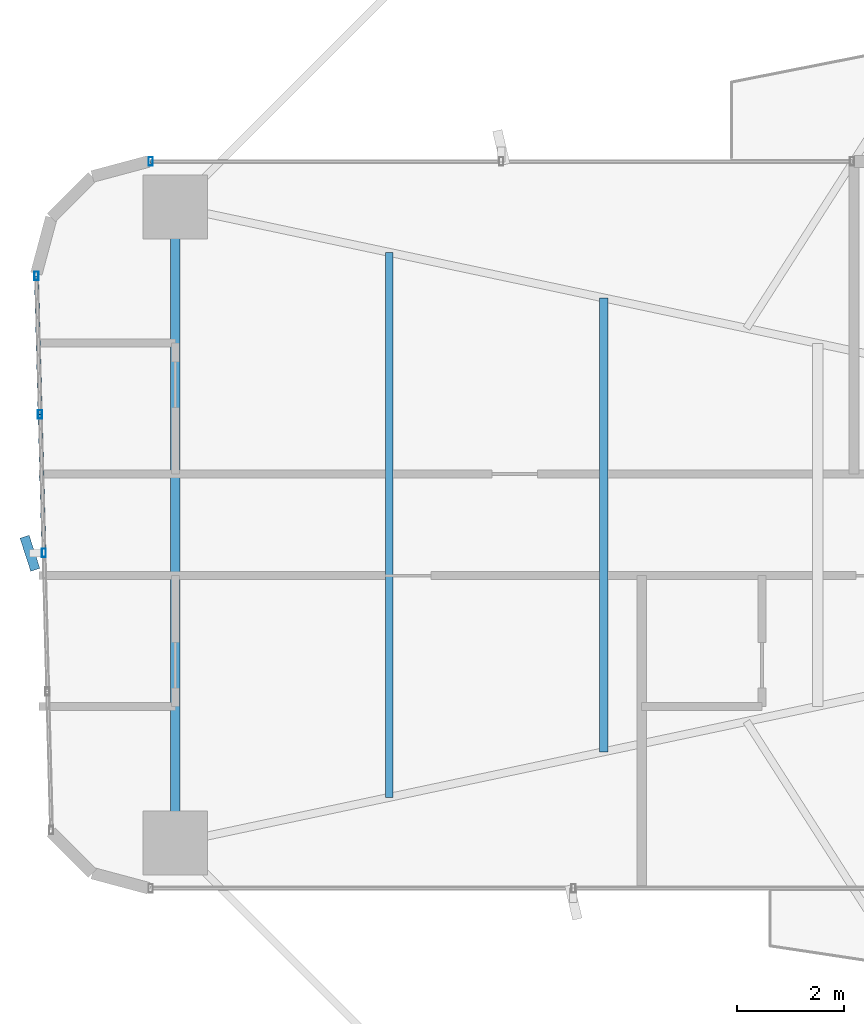
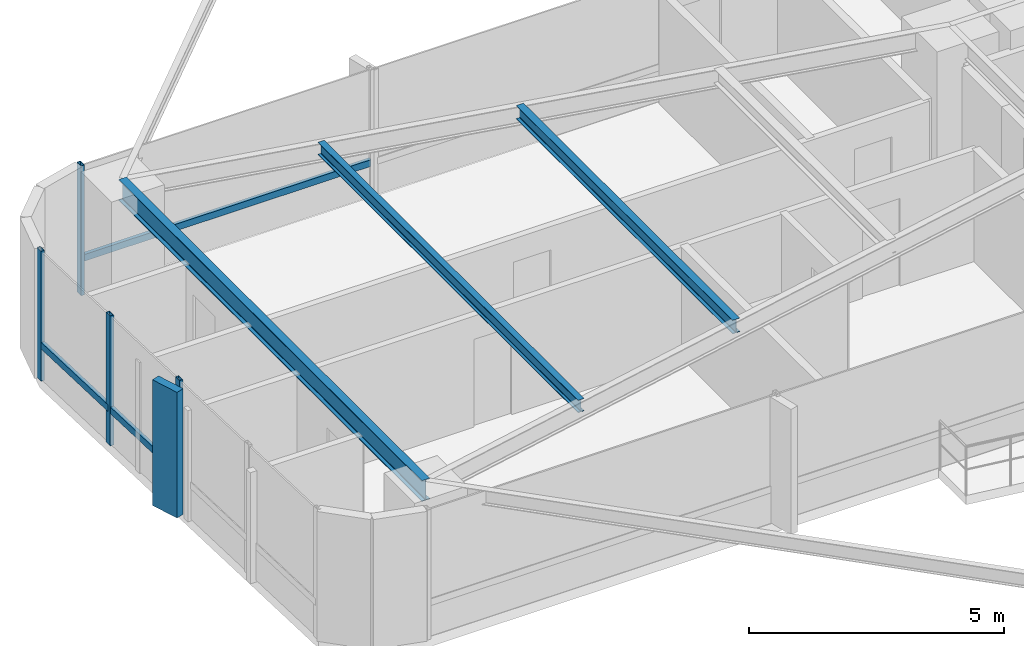
# One storey, part 8 of 26: 8 members, 3 beams, 2 elements without a shape of their own.
"""IFC4 building model written with IfcOpenShell, lengths in metres."""

from ifc_helpers import new_model, si_unit, direction, frame, origin, origin_2d, place, context, subcontext, project, spatial, rectangle, hollow_rectangle, i_section, extrude, source, transform, mapped, material, material_profile, profile_set, type_object, element, aggregate, save


model = new_model("IFC4")

# Units and contexts
model_context = context("Model", 3, precision=1e-05, world=origin(), true_north=direction((0.0, 1.0)))
body_context = subcontext(model_context, "Body", "Model", "MODEL_VIEW")
ifc_project = project(units=[si_unit("LENGTHUNIT", "METRE"), si_unit("AREAUNIT", "SQUARE_METRE"), si_unit("VOLUMEUNIT", "CUBIC_METRE"), si_unit("PLANEANGLEUNIT", "RADIAN"), si_unit("MASSUNIT", "GRAM", prefix="KILO")], contexts=[model_context])

# Site, building, storey
site_placement = place(None, origin())
site = spatial("IfcSite", under=ifc_project, at=site_placement, CompositionType="ELEMENT")
building_placement = place(site_placement, origin())
building = spatial("IfcBuilding", under=site, at=building_placement, Name="Sahyath Konkavel Grand Hotel", CompositionType="ELEMENT")
storey_placement = place(building_placement, frame((0.0, 0.0, 29.800048828125)))
storey = spatial("IfcBuildingStorey", under=building, at=storey_placement, Name="L07", CompositionType="ELEMENT", Elevation=29.800048828125)

# Beams
ifc_material_1 = material(Name="Steel E350", Category="steel")
ifc_material_profile_1 = material_profile(ifc_material_1, i_section(OverallWidth=0.179931640625, OverallDepth=0.5, WebThickness=0.01025390625, FlangeThickness=0.01708984375, FilletRadius=0.01708984375, at=origin_2d()), Name="ISMB 500")
ifc_profile_set_1 = profile_set([ifc_material_profile_1], Name="Steel E350")
beam_type_1 = type_object("IfcBeamType", Name="BM-ISMB500", PredefinedType="BEAM", material=ifc_profile_set_1)
shared_shape_1 = source(origin(), body_context, "Body", "SweptSolid", [
    extrude(i_section(OverallWidth=0.179931640625, OverallDepth=0.5, WebThickness=0.01025390625, FlangeThickness=0.01708984375, FilletRadius=0.01708984375, at=origin_2d()), origin(), (0.0, 0.0, 1.0), 11.89990234375),
])
beam_1_placement = place(storey_placement, frame((-22.199951171875, 5.949951171875, 2.85986328125), z_axis=(0.0, -1.0, 0.0), x_axis=(1.0, 0.0, 0.0)))
element("IfcBeam", 1, at=beam_1_placement, inside=storey, type_object=beam_type_1, Name="L07 Wing Tip Edge Beam W", PredefinedType="BEAM", context=body_context, shape_type="MappedRepresentation", body=[
    mapped(shared_shape_1, transform((0.0, 0.0, 0.0), scale=1.0)),
])
ifc_material_profile_2 = material_profile(ifc_material_1, i_section(OverallWidth=0.1650390625, OverallDepth=0.324951171875, WebThickness=0.007080078125, FlangeThickness=0.009765625, FilletRadius=0.014892578125, at=origin_2d()), Name="ISLB 325")
ifc_profile_set_2 = profile_set([ifc_material_profile_2], Name="Steel E350")
beam_type_2 = type_object("IfcBeamType", Name="BM-ISLB325", PredefinedType="BEAM", material=ifc_profile_set_2)
shared_shape_2 = source(origin(), body_context, "Body", "SweptSolid", [
    extrude(i_section(OverallWidth=0.1650390625, OverallDepth=0.324951171875, WebThickness=0.007080078125, FlangeThickness=0.009765625, FilletRadius=0.014892578125, at=origin_2d()), origin(), (0.0, 0.0, 1.0), 8.4921875),
])
beam_2_placement = place(storey_placement, frame((-14.18408203125, 4.24609375, 2.947509765625), z_axis=(0.0, -1.0, 0.0), x_axis=(1.0, 0.0, 0.0)))
element("IfcBeam", 2, at=beam_2_placement, inside=storey, type_object=beam_type_2, Name="L07 Secondary Floor Beam W-2", PredefinedType="BEAM", context=body_context, shape_type="MappedRepresentation", body=[
    mapped(shared_shape_2, transform((0.0, 0.0, 0.0), scale=1.0)),
])
ifc_material_profile_3 = material_profile(ifc_material_1, i_section(OverallWidth=0.139892578125, OverallDepth=0.300048828125, WebThickness=0.0078125, FlangeThickness=0.01318359375, FilletRadius=0.013916015625, at=origin_2d()), Name="ISMB 300")
ifc_profile_set_3 = profile_set([ifc_material_profile_3], Name="Steel E350")
beam_type_3 = type_object("IfcBeamType", Name="BM-ISMB300", PredefinedType="BEAM", material=ifc_profile_set_3)
shared_shape_3 = source(origin(), body_context, "Body", "SweptSolid", [
    extrude(i_section(OverallWidth=0.139892578125, OverallDepth=0.300048828125, WebThickness=0.0078125, FlangeThickness=0.01318359375, FilletRadius=0.013916015625, at=origin_2d()), origin(), (0.0, 0.0, 1.0), 10.19580078125),
])
beam_3_placement = place(storey_placement, frame((-18.19189453125, 5.097900390625, 2.9599609375), z_axis=(0.0, -1.0, 0.0), x_axis=(1.0, 0.0, 0.0)))
element("IfcBeam", 3, at=beam_3_placement, inside=storey, type_object=beam_type_3, Name="L07 Secondary Floor Beam W-3", PredefinedType="BEAM", context=body_context, shape_type="MappedRepresentation", body=[
    mapped(shared_shape_3, transform((0.0, 0.0, 0.0), scale=1.0)),
])

# Curtain wall, member
ifc_material_2 = material(Name="Anodised Bronze Aluminium & Low-E Glazing", Category="aluminium")
curtain_wall_type = type_object("IfcCurtainWallType", Name="CW-ZONE1", PredefinedType="NOTDEFINED", material=ifc_material_2)
curtain_wall_1_placement = place(storey_placement, origin())
curtain_wall_1 = element("IfcCurtainWall", 4, at=curtain_wall_1_placement, inside=storey, type_object=curtain_wall_type, Name="L07 Unitised Curtain Wall F16", PredefinedType="NOTDEFINED")
ifc_material_3 = material(Name="Anodised Bronze Aluminium", Category="aluminium")
ifc_material_profile_4 = material_profile(ifc_material_3, hollow_rectangle(XDim=0.080078125, YDim=0.159912109375, WallThickness=0.006103515625, at=origin_2d()), Name="RHS 160x80x6")
ifc_profile_set_4 = profile_set([ifc_material_profile_4], Name="Anodised Bronze Aluminium")
member_type_1 = type_object("IfcMemberType", Name="CW-MUL-160", PredefinedType="MULLION", material=ifc_profile_set_4)
shared_shape_4 = source(origin(), body_context, "Body", "SweptSolid", [
    extrude(hollow_rectangle(XDim=0.080078125, YDim=0.159912109375, WallThickness=0.006103515625, at=origin_2d()), origin(), (0.0, 0.0, 1.0), 3.10986328125),
])
member_1_placement = place(storey_placement, frame((-22.659912109375, 6.800048828125, 0.0), z_axis=(0.0, 0.0, 1.0), x_axis=(1.0, 0.0, 0.0)))
member_1 = element("IfcMember", 5, at=member_1_placement, type_object=member_type_1, Name="L07 Curtain Wall Mullion F16-2", PredefinedType="MULLION", context=body_context, shape_type="MappedRepresentation", body=[
    mapped(shared_shape_4, transform((0.0, 0.0, 0.0), scale=1.0)),
])

# Curtain wall, members
curtain_wall_2_placement = place(storey_placement, origin())
curtain_wall_2 = element("IfcCurtainWall", 6, at=curtain_wall_2_placement, inside=storey, type_object=curtain_wall_type, Name="L07 Unitised Curtain Wall F20", PredefinedType="NOTDEFINED")
member_2_placement = place(storey_placement, frame((-24.798828125, 4.659912109375, 0.0), z_axis=(0.0, 0.0, 1.0), x_axis=(1.0, 0.0, 0.0)))
member_2 = element("IfcMember", 7, at=member_2_placement, type_object=member_type_1, Name="L07 Curtain Wall Mullion F20-0", PredefinedType="MULLION", context=body_context, shape_type="MappedRepresentation", body=[
    mapped(shared_shape_4, transform((0.0, 0.0, 0.0), scale=1.0)),
])
member_3_placement = place(storey_placement, frame((-24.72900390625, 2.0673828125, 0.0), z_axis=(0.0, 0.0, 1.0), x_axis=(1.0, 0.0, 0.0)))
member_3 = element("IfcMember", 8, at=member_3_placement, type_object=member_type_1, Name="L07 Curtain Wall Mullion F20-1", PredefinedType="MULLION", context=body_context, shape_type="MappedRepresentation", body=[
    mapped(shared_shape_4, transform((0.0, 0.0, 0.0), scale=1.0)),
])
member_4_placement = place(storey_placement, frame((-24.6591796875, -0.52490234375, 0.0), z_axis=(0.0, 0.0, 1.0), x_axis=(1.0, 0.0, 0.0)))
member_4 = element("IfcMember", 9, at=member_4_placement, type_object=member_type_1, Name="L07 Curtain Wall Mullion F20-2", PredefinedType="MULLION", context=body_context, shape_type="MappedRepresentation", body=[
    mapped(shared_shape_4, transform((0.0, 0.0, 0.0), scale=1.0)),
])
ifc_material_4 = material(Name="Warm Buff Sandstone Cladding on Concrete C50/60", Category="masonry")
ifc_material_profile_5 = material_profile(ifc_material_4, rectangle(XDim=0.179931640625, YDim=0.64990234375, at=origin_2d()), Name="FIN 180x650")
ifc_profile_set_5 = profile_set([ifc_material_profile_5], Name="Warm Buff Sandstone Cladding on Concrete C50/60")
member_type_2 = type_object("IfcMemberType", Name="FIN-SANDSTONE-650", PredefinedType="MULLION", material=ifc_profile_set_5)
shared_shape_5 = source(origin(), body_context, "Body", "SweptSolid", [
    extrude(rectangle(XDim=0.179931640625, YDim=0.64990234375, at=origin_2d()), origin(), (0.0, 0.0, 1.0), 3.010009765625),
])
member_5_placement = place(storey_placement, frame((-24.919189453125, -0.531982421875, 0.050048828125), z_axis=(0.0, 0.0, 1.0), x_axis=(0.951110435449, 0.308850998993, 0.0)))
member_5 = element("IfcMember", 10, at=member_5_placement, type_object=member_type_2, Name="L07 Sandstone Vertical Solar Fin FIN F20-2", PredefinedType="MULLION", context=body_context, shape_type="MappedRepresentation", body=[
    mapped(shared_shape_5, transform((0.0, 0.0, 0.0), scale=1.0)),
])
ifc_material_profile_6 = material_profile(ifc_material_3, hollow_rectangle(XDim=0.080078125, YDim=0.159912109375, WallThickness=0.006103515625, at=origin_2d()), Name="RHS 160x80x6")
ifc_profile_set_6 = profile_set([ifc_material_profile_6], Name="Anodised Bronze Aluminium")
member_type_3 = type_object("IfcMemberType", Name="CW-TRN-160", PredefinedType="USERDEFINED", material=ifc_profile_set_6)
shared_shape_6 = source(origin(), body_context, "Body", "SweptSolid", [
    extrude(hollow_rectangle(XDim=0.080078125, YDim=0.159912109375, WallThickness=0.006103515625, at=origin_2d()), origin(), (0.0, 0.0, 1.0), 2.593505859375),
])
member_6_placement = place(storey_placement, frame((-24.798828125, 4.659912109375, 0.849853515625), z_axis=(0.026923093252, -0.999637507825, 0.0), x_axis=(0.999637507825, 0.026923093252, 0.0)))
member_6 = element("IfcMember", 11, at=member_6_placement, type_object=member_type_3, Name="L07 Curtain Wall Transom F20-0-spandrel", ObjectType="TRANSOM", PredefinedType="USERDEFINED", context=body_context, shape_type="MappedRepresentation", body=[
    mapped(shared_shape_6, transform((0.0, 0.0, 0.0), scale=1.0)),
])
shared_shape_7 = source(origin(), body_context, "Body", "SweptSolid", [
    extrude(hollow_rectangle(XDim=0.080078125, YDim=0.159912109375, WallThickness=0.006103515625, at=origin_2d()), origin(), (0.0, 0.0, 1.0), 2.59326171875),
])
member_7_placement = place(storey_placement, frame((-24.72900390625, 2.0673828125, 0.849853515625), z_axis=(0.026925627022, -0.99963743958, 0.0), x_axis=(0.99963743958, 0.026925627022, 0.0)))
member_7 = element("IfcMember", 12, at=member_7_placement, type_object=member_type_3, Name="L07 Curtain Wall Transom F20-1-spandrel", ObjectType="TRANSOM", PredefinedType="USERDEFINED", context=body_context, shape_type="MappedRepresentation", body=[
    mapped(shared_shape_7, transform((0.0, 0.0, 0.0), scale=1.0)),
])
aggregate(curtain_wall_2, [member_2, member_3, member_4, member_5, member_6, member_7])

# Member
shared_shape_8 = source(origin(), body_context, "Body", "SweptSolid", [
    extrude(hollow_rectangle(XDim=0.080078125, YDim=0.159912109375, WallThickness=0.006103515625, at=origin_2d()), origin(), (0.0, 0.0, 1.0), 6.559814453125),
])
member_8_placement = place(storey_placement, frame((-16.10009765625, 6.800048828125, 0.849853515625), z_axis=(-1.0, 0.0, 0.0), x_axis=(0.0, -1.0, 0.0)))
member_8 = element("IfcMember", 13, at=member_8_placement, type_object=member_type_3, Name="L07 Curtain Wall Transom F16-1-spandrel", ObjectType="TRANSOM", PredefinedType="USERDEFINED", context=body_context, shape_type="MappedRepresentation", body=[
    mapped(shared_shape_8, transform((0.0, 0.0, 0.0), scale=1.0)),
])

aggregate(curtain_wall_1, [member_1, member_8])

save(model, "model.ifc")
